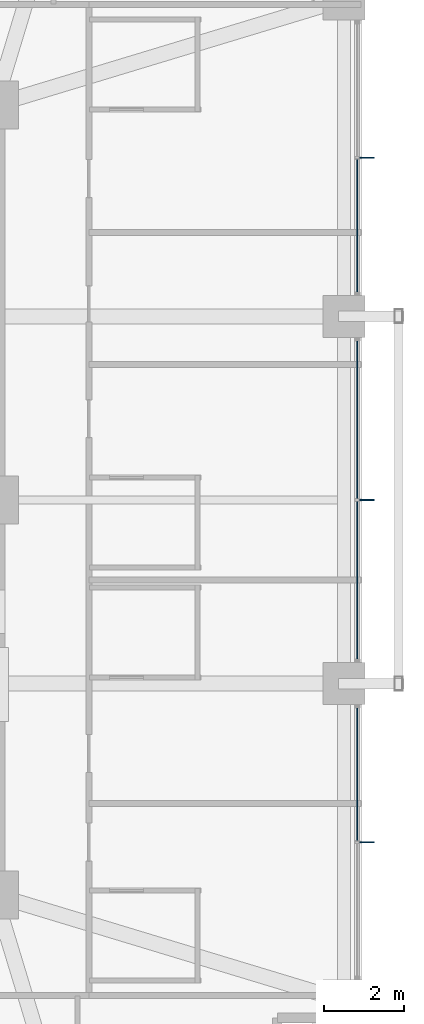
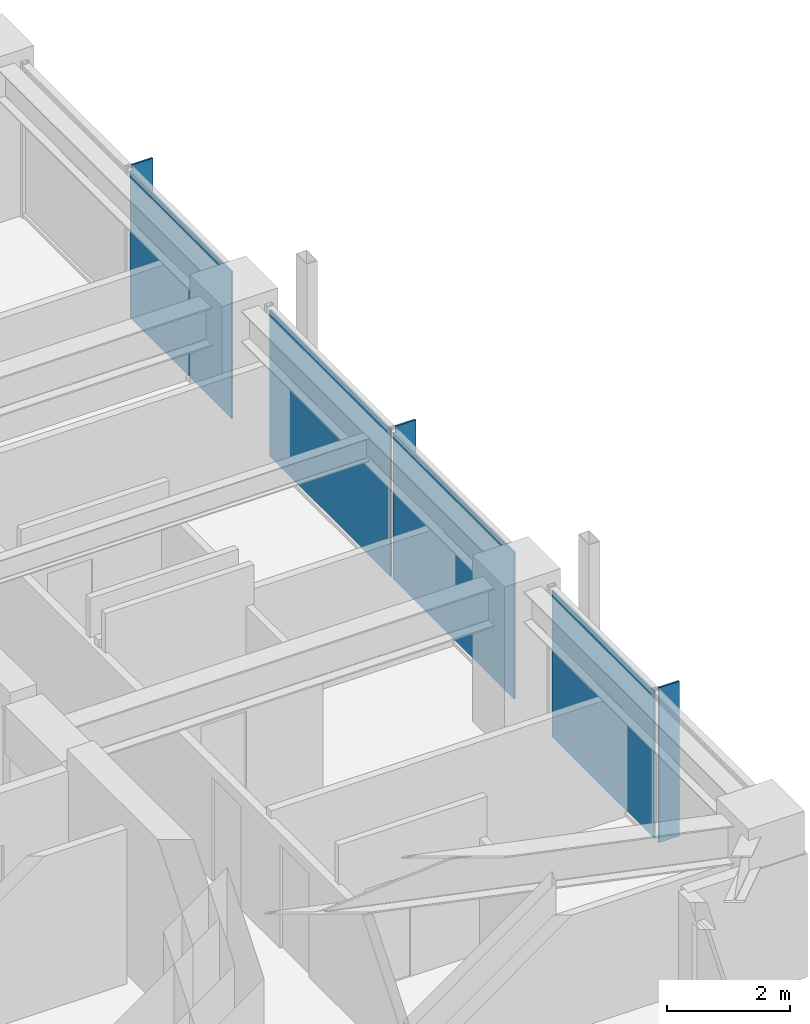
# One storey, part 25 of 34: 7 plates, 3 elements without a shape of their own.
"""IFC4 building model written with IfcOpenShell, lengths in metres."""

import ifcopenshell
import ifcopenshell.guid

model = None  # the IFC model being written
_history = None  # IfcOwnerHistory: only IFC2X3 demands one
_inside = {}  # id of a spatial element -> (the spatial element, [elements in it])
_under = {}  # id of a project, library or spatial element -> (it, [spatial elements below it])
_declared = {}  # id of a project -> (the project, [libraries it declares])
_typed = {}  # id of a type object -> (the type object, [elements of that type])
_made_of = {}  # id of a material, layer set ... -> (it, [elements and type objects made of it])


def new_model(schema):
    """Start an empty IFC model of exactly this schema.

    Asked for "IFC4X3", IfcOpenShell would pick the latest addendum, in which some entities
    have other attributes; the version numbers below select the first issue.
    IFC2X3 requires an IfcOwnerHistory on every rooted entity: one is made here for all.
    """
    global model, _history
    if schema == "IFC4X3":
        model = ifcopenshell.file(schema_version=(4, 3, 0, 0))
    else:
        model = ifcopenshell.file(schema=schema)
    _inside.clear()
    _under.clear()
    _declared.clear()
    _typed.clear()
    _made_of.clear()
    _history = None
    if model.schema == "IFC2X3":
        org = make("IfcOrganization", Name="unknown")
        user = make(
            "IfcPersonAndOrganization",
            ThePerson=make("IfcPerson", FamilyName="unknown"),
            TheOrganization=org,
        )
        app = make(
            "IfcApplication",
            ApplicationDeveloper=org,
            Version="unknown",
            ApplicationFullName="unknown",
            ApplicationIdentifier="unknown",
        )
        _history = make(
            "IfcOwnerHistory",
            OwningUser=user,
            OwningApplication=app,
            ChangeAction="ADDED",
            CreationDate=0,
        )
    return model


def make(cls, **values):
    """One entity of the class cls with the attributes given. An attribute that is None is left unset."""
    return model.create_entity(
        cls, **{name: value for name, value in values.items() if value is not None}
    )


def rooted(cls, **values):
    """An entity with a GlobalId (a new one), such as an element, a storey or a relation."""
    return make(cls, GlobalId=ifcopenshell.guid.new(), OwnerHistory=_history, **values)


def si_unit(unit_type, name, prefix=None):
    """IfcSIUnit, for example si_unit("LENGTHUNIT", "METRE", prefix="MILLI")."""
    return make("IfcSIUnit", UnitType=unit_type, Prefix=prefix, Name=name)


def assignment(units):
    """IfcUnitAssignment: the units of a project."""
    return None if units is None else make("IfcUnitAssignment", Units=units)


def point(xyz):
    """IfcCartesianPoint."""
    return None if xyz is None else make("IfcCartesianPoint", Coordinates=xyz)


def direction(xyz):
    """IfcDirection."""
    return None if xyz is None else make("IfcDirection", DirectionRatios=xyz)


def frame(location, z_axis=None, x_axis=None):
    """IfcAxis2Placement3D, a coordinate frame: its origin and axes. An axis left out is left unset."""
    return make(
        "IfcAxis2Placement3D",
        Location=point(location),
        Axis=direction(z_axis),
        RefDirection=direction(x_axis),
    )


def frame_2d(location, x_axis=None):
    """IfcAxis2Placement2D, a coordinate frame in the plane: its origin and x axis."""
    return make(
        "IfcAxis2Placement2D", Location=point(location), RefDirection=direction(x_axis)
    )


def origin():
    """The frame at (0, 0, 0) with its axes left unset."""
    return frame((0.0, 0.0, 0.0))


def origin_2d():
    """The frame at (0, 0) in the plane with its x axis left unset."""
    return frame_2d((0.0, 0.0))


def place(relative_to, where):
    """IfcLocalPlacement: puts the frame where relative to a parent placement (None: the world)."""
    return make(
        "IfcLocalPlacement", PlacementRelTo=relative_to, RelativePlacement=where
    )


def context(
    kind, dimensions, precision=None, world=None, true_north=None, identifier=None
):
    """IfcGeometricRepresentationContext, for example the 3D "Model" context."""
    return make(
        "IfcGeometricRepresentationContext",
        ContextIdentifier=identifier,
        ContextType=kind,
        CoordinateSpaceDimension=dimensions,
        Precision=precision,
        WorldCoordinateSystem=world,
        TrueNorth=true_north,
    )


def subcontext(parent, identifier, kind, view, scale=None):
    """IfcGeometricRepresentationSubContext, for example "Body" below "Model"."""
    return make(
        "IfcGeometricRepresentationSubContext",
        ContextIdentifier=identifier,
        ContextType=kind,
        ParentContext=parent,
        TargetScale=scale,
        TargetView=view,
    )


def project(units=None, contexts=None):
    """IfcProject with its units and contexts."""
    return rooted(
        "IfcProject",
        Name="project",
        RepresentationContexts=contexts,
        UnitsInContext=assignment(units),
    )


def spatial(cls, under=None, at=None, **own):
    """A site, building, storey or space (cls), placed at a placement, below another one or the project."""
    s = rooted(cls, ObjectPlacement=at, **own)
    if under is not None:
        _under.setdefault(under.id(), (under, []))[1].append(s)
    return s


def profile(cls, at=None, kind="AREA", **sizes):
    """A parametric profile (cls). Its sizes go by their IFC names, for example OverallWidth=200.0."""
    return make(cls, ProfileType=kind, Position=at, **sizes)


def rectangle(**sizes):
    """IfcRectangleProfileDef."""
    return profile("IfcRectangleProfileDef", **sizes)


def extrude(swept, where, along, depth):
    """IfcExtrudedAreaSolid: the profile swept, set in the frame where, extruded along a direction by depth."""
    return make(
        "IfcExtrudedAreaSolid",
        SweptArea=swept,
        Position=where,
        ExtrudedDirection=direction(along),
        Depth=depth,
    )


def shape(context_of_items, identifier, shape_type, items):
    """IfcShapeRepresentation: the items that make up one representation, for example the "Body"."""
    return make(
        "IfcShapeRepresentation",
        ContextOfItems=context_of_items,
        RepresentationIdentifier=identifier,
        RepresentationType=shape_type,
        Items=items,
    )


def material(Name=None, Category=None):
    """IfcMaterial."""
    return make("IfcMaterial", Name=Name, Category=Category)


def layer(
    of_material, thickness, ventilated=None, Name=None, Category=None, Priority=None
):
    """IfcMaterialLayer: one layer of a wall or slab, of a material (None: an air gap)."""
    return make(
        "IfcMaterialLayer",
        Material=of_material,
        LayerThickness=thickness,
        IsVentilated=ventilated,
        Name=Name,
        Category=Category,
        Priority=Priority,
    )


def layer_set(layers, Name=None):
    """IfcMaterialLayerSet."""
    return make("IfcMaterialLayerSet", MaterialLayers=layers, LayerSetName=Name)


def made_of(thing, what):
    """Note that an element or type object is made of a material, layer set ...; save() writes the relation."""
    if what is not None:
        _made_of.setdefault(what.id(), (what, []))[1].append(thing)
    return thing


def type_object(cls, material=None, **own):
    """A type object (cls), such as IfcWallType, which elements share."""
    return made_of(rooted(cls, **own), material)


def element(
    cls,
    number,
    at=None,
    inside=None,
    cuts=None,
    type_object=None,
    material=None,
    context=None,
    identifier="Body",
    shape_type=None,
    held_by="IfcProductDefinitionShape",
    body=None,
    shapes=None,
    **own,
):
    """One element of the class cls, such as IfcWall. Its Tag is "e" and its number.

    at: its placement. inside: the storey or other place that contains it. cuts: it is an
    opening in that element (IfcRelVoidsElement). A single representation is given by context,
    identifier, shape_type and body (its items); several are given by shapes. held_by: the class
    of the entity that holds the representations. save() writes the other relations.
    """
    e = rooted(cls, Tag="e%d" % number, ObjectPlacement=at, **own)
    if body is not None:
        shapes = [shape(context, identifier, shape_type, body)]
    if shapes is not None:
        e.Representation = make(held_by, Representations=shapes)
    if inside is not None:
        _inside.setdefault(inside.id(), (inside, []))[1].append(e)
    if cuts is not None:
        rooted(
            "IfcRelVoidsElement", RelatingBuildingElement=cuts, RelatedOpeningElement=e
        )
    if type_object is not None:
        _typed.setdefault(type_object.id(), (type_object, []))[1].append(e)
    return made_of(e, material)


def aggregate(whole, parts):
    """IfcRelAggregates: a whole, such as a stair, and the parts it consists of."""
    return rooted("IfcRelAggregates", RelatingObject=whole, RelatedObjects=parts)


def save(model, path):
    """Write the relations noted so far, then the file.

    IfcRelAggregates (storeys below a building ...), IfcRelContainedInSpatialStructure (elements
    in a storey), IfcRelDefinesByType, IfcRelAssociatesMaterial and IfcRelDeclares: one each for
    every whole, place, type object, material and project.
    """
    for whole, parts in _under.values():
        aggregate(whole, parts)
    for where, things in _inside.values():
        rooted(
            "IfcRelContainedInSpatialStructure",
            RelatedElements=things,
            RelatingStructure=where,
        )
    for kind, things in _typed.values():
        rooted("IfcRelDefinesByType", RelatedObjects=things, RelatingType=kind)
    for what, things in _made_of.values():
        rooted("IfcRelAssociatesMaterial", RelatedObjects=things, RelatingMaterial=what)
    for by, libraries in _declared.values():
        rooted("IfcRelDeclares", RelatingContext=by, RelatedDefinitions=libraries)
    model.write(path)


model = new_model("IFC4")

# Units and contexts
model_context = context("Model", 3, precision=1e-05, world=origin(), true_north=direction((0.0, 1.0)))
body_context = subcontext(model_context, "Body", "Model", "MODEL_VIEW")
ifc_project = project(units=[si_unit("LENGTHUNIT", "METRE"), si_unit("AREAUNIT", "SQUARE_METRE"), si_unit("VOLUMEUNIT", "CUBIC_METRE"), si_unit("PLANEANGLEUNIT", "RADIAN"), si_unit("MASSUNIT", "GRAM", prefix="KILO")], contexts=[model_context])

# Site, building, storey
site_placement = place(None, origin())
site = spatial("IfcSite", under=ifc_project, at=site_placement, CompositionType="ELEMENT")
building_placement = place(site_placement, origin())
building = spatial("IfcBuilding", under=site, at=building_placement, Name="Kolvaren Belvedere", CompositionType="ELEMENT")
storey_placement = place(building_placement, frame((0.0, 0.0, 111.800048828125)))
storey = spatial("IfcBuildingStorey", under=building, at=storey_placement, Name="L32", CompositionType="ELEMENT", Elevation=111.800048828125)

# Curtain wall, plate
ifc_material_1 = material(Name="Anodised pale-metal aluminium AA 6063-T6", Category="aluminium")
curtain_wall_type = type_object("IfcCurtainWallType", Name="CW-Z3-WAIST", PredefinedType="NOTDEFINED", material=ifc_material_1)
curtain_wall_1_placement = place(storey_placement, origin())
curtain_wall_1 = element("IfcCurtainWall", 1, at=curtain_wall_1_placement, inside=storey, type_object=curtain_wall_type, Name="L32 Unitised Curtain Wall FCW-L32-E-B1", PredefinedType="NOTDEFINED")
ifc_material_2 = material(Name="Low-iron triple insulated glass", Category="glass")
ifc_layer_1 = layer(ifc_material_2, 0.028076171875)
ifc_layer_set_1 = layer_set([ifc_layer_1], Name="Low-iron triple insulated glass")
plate_type_1 = type_object("IfcPlateType", Name="CW-PNL-VIS28", PredefinedType="CURTAIN_PANEL", material=ifc_layer_set_1)
plate_1_placement = place(storey_placement, frame((18.97998046875, 6.876220703125, 0.080078125), z_axis=(0.0, 0.0, 1.0), x_axis=(0.0, -1.0, 0.0)))
plate_1 = element("IfcPlate", 2, at=plate_1_placement, type_object=plate_type_1, Name="FCW-L32-E-B1 Vision Glazing Panel 2", PredefinedType="CURTAIN_PANEL", context=body_context, shape_type="SweptSolid", body=[
    extrude(rectangle(XDim=3.3173828125, YDim=0.028076171875, at=origin_2d()), origin(), (0.0, 0.0, 1.0), 2.919921875),
])
aggregate(curtain_wall_1, [plate_1])

# Curtain wall, plates
curtain_wall_2_placement = place(storey_placement, origin())
curtain_wall_2 = element("IfcCurtainWall", 3, at=curtain_wall_2_placement, inside=storey, type_object=curtain_wall_type, Name="L32 Unitised Curtain Wall FCW-L32-E-B2", PredefinedType="NOTDEFINED")
plate_2_placement = place(storey_placement, frame((18.97998046875, 2.01123046875, 0.080078125), z_axis=(0.0, 0.0, 1.0), x_axis=(0.0, -1.0, 0.0)))
plate_2 = element("IfcPlate", 4, at=plate_2_placement, type_object=plate_type_1, Name="FCW-L32-E-B2 Vision Glazing Panel 1", PredefinedType="CURTAIN_PANEL", context=body_context, shape_type="SweptSolid", body=[
    extrude(rectangle(XDim=3.9423828125, YDim=0.028076171875, at=origin_2d()), origin(), (0.0, 0.0, 1.0), 2.919921875),
])
plate_3_placement = place(storey_placement, frame((18.97998046875, -2.01123046875, 0.080078125), z_axis=(0.0, 0.0, 1.0), x_axis=(0.0, -1.0, 0.0)))
plate_3 = element("IfcPlate", 5, at=plate_3_placement, type_object=plate_type_1, Name="FCW-L32-E-B2 Vision Glazing Panel 2", PredefinedType="CURTAIN_PANEL", context=body_context, shape_type="SweptSolid", body=[
    extrude(rectangle(XDim=3.9423828125, YDim=0.028076171875, at=origin_2d()), origin(), (0.0, 0.0, 1.0), 2.919921875),
])
aggregate(curtain_wall_2, [plate_2, plate_3])

# Curtain wall, plate
curtain_wall_3_placement = place(storey_placement, origin())
curtain_wall_3 = element("IfcCurtainWall", 6, at=curtain_wall_3_placement, inside=storey, type_object=curtain_wall_type, Name="L32 Unitised Curtain Wall FCW-L32-E-B3", PredefinedType="NOTDEFINED")
plate_4_placement = place(storey_placement, frame((18.97998046875, -6.876220703125, 0.080078125), z_axis=(0.0, 0.0, 1.0), x_axis=(0.0, -1.0, 0.0)))
plate_4 = element("IfcPlate", 7, at=plate_4_placement, type_object=plate_type_1, Name="FCW-L32-E-B3 Vision Glazing Panel 1", PredefinedType="CURTAIN_PANEL", context=body_context, shape_type="SweptSolid", body=[
    extrude(rectangle(XDim=3.3173828125, YDim=0.028076171875, at=origin_2d()), origin(), (0.0, 0.0, 1.0), 2.919921875),
])
aggregate(curtain_wall_3, [plate_4])

# Plates
ifc_material_3 = material(Name="Anodised pale-metal aluminium AA 6063-T6", Category="aluminium")
ifc_layer_2 = layer(ifc_material_3, 0.033935546875)
ifc_layer_set_2 = layer_set([ifc_layer_2], Name="Anodised pale-metal aluminium AA 6063-T6")
plate_type_2 = type_object("IfcPlateType", Name="FIN-VERT-380", PredefinedType="USERDEFINED", material=ifc_layer_set_2)
for number, where, z_axis, x_axis, name in (
    (8, (19.219970703125, 8.574951171875, 0.0), (0.0, 0.0, 1.0), (1.0, 0.0, 0.0), "L32 Pale-Metal Vertical Shading Fin FCW-L32-E-B1-1"),
    (9, (19.219970703125, 0.0, 0.0), (0.0, 0.0, 1.0), (1.0, 0.0, 0.0), "L32 Pale-Metal Vertical Shading Fin FCW-L32-E-B2-1"),
    (10, (19.219970703125, -8.574951171875, 0.0), (0.0, 0.0, 1.0), (1.0, 0.0, 0.0), "L32 Pale-Metal Vertical Shading Fin FCW-L32-E-B3-1"),
):
    element("IfcPlate", number, at=place(storey_placement, frame(where, z_axis=z_axis, x_axis=x_axis)), inside=storey, type_object=plate_type_2, Name=name, ObjectType="VERTICAL FIN", PredefinedType="USERDEFINED", context=body_context, shape_type="SweptSolid", body=[
        extrude(rectangle(XDim=0.3798828125, YDim=0.033935546875, at=origin_2d()), origin(), (0.0, 0.0, 1.0), 3.080078125),
    ])

save(model, "model.ifc")
